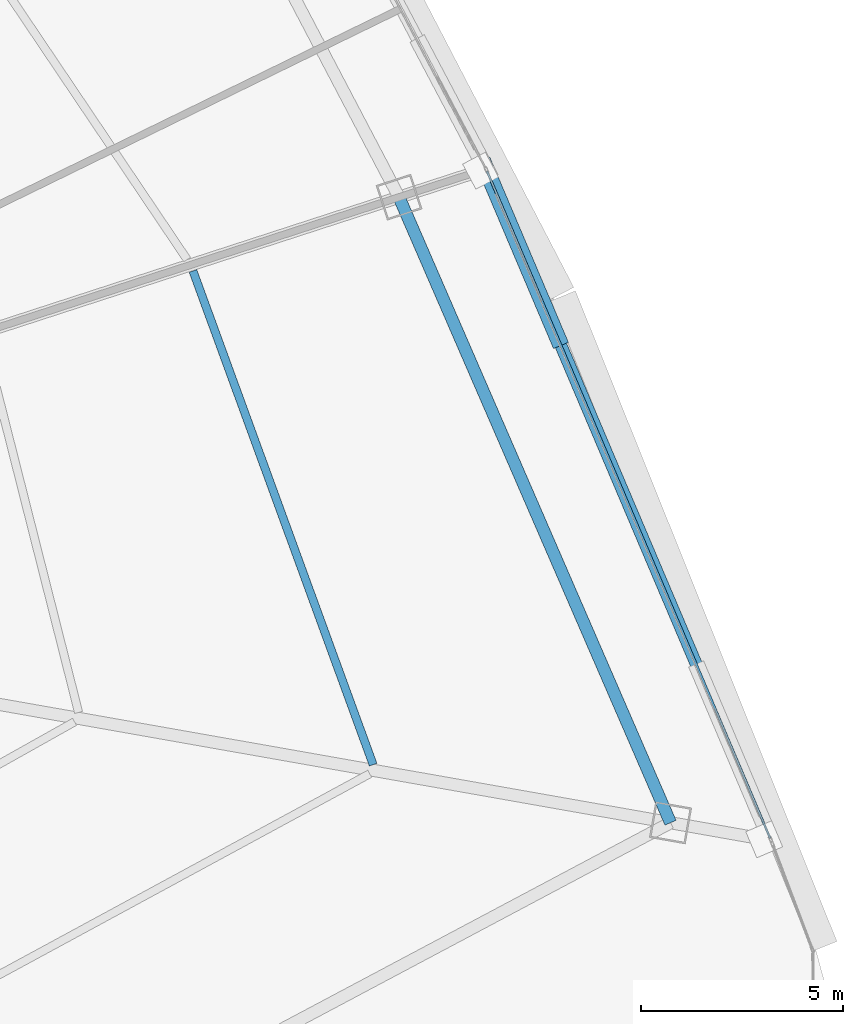
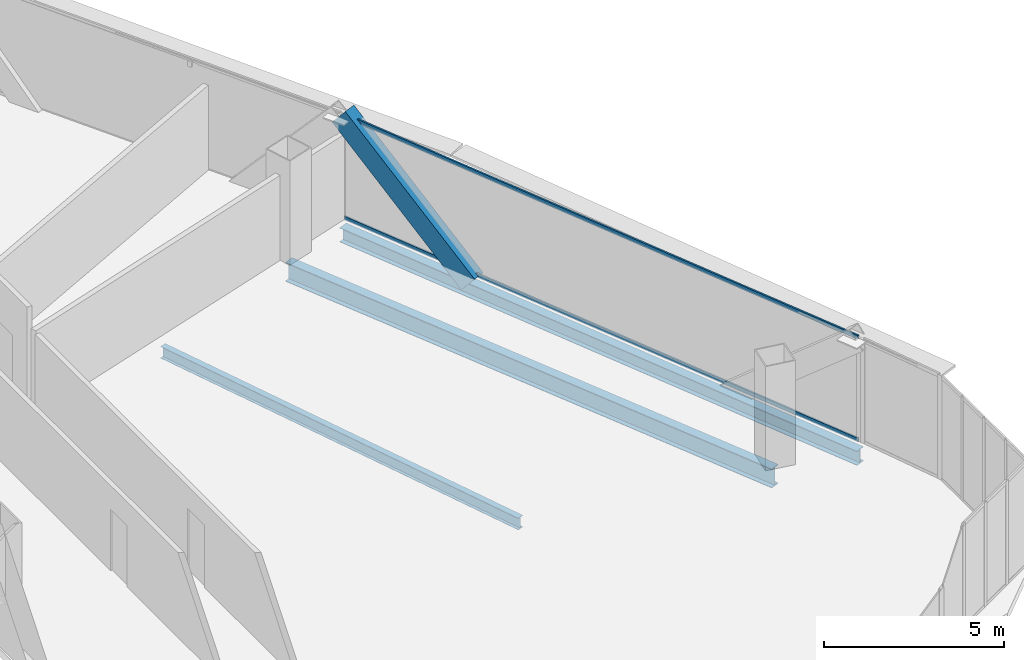
# One storey, part 26 of 40: 3 beams, 3 members, 1 element without a shape of its own.
"""IFC4 building model written with IfcOpenShell, lengths in metres."""

from ifc_helpers import new_model, si_unit, direction, frame, origin, origin_2d, place, context, subcontext, project, spatial, hollow_rectangle, i_section, extrude, source, transform, mapped, material, layer, layer_set, material_profile, profile_set, type_object, element, aggregate, save


model = new_model("IFC4")

# Units and contexts
model_context = context("Model", 3, precision=1e-05, world=origin(), true_north=direction((0.0, 1.0)))
body_context = subcontext(model_context, "Body", "Model", "MODEL_VIEW")
ifc_project = project(units=[si_unit("LENGTHUNIT", "METRE"), si_unit("AREAUNIT", "SQUARE_METRE"), si_unit("VOLUMEUNIT", "CUBIC_METRE"), si_unit("PLANEANGLEUNIT", "RADIAN"), si_unit("MASSUNIT", "GRAM", prefix="KILO"), si_unit("THERMODYNAMICTEMPERATUREUNIT", "KELVIN"), si_unit("POWERUNIT", "WATT")], contexts=[model_context])

# Site, building, storey
site_placement = place(None, origin())
site = spatial("IfcSite", under=ifc_project, at=site_placement, CompositionType="ELEMENT")
building_placement = place(site_placement, origin())
building = spatial("IfcBuilding", under=site, at=building_placement, Name="Yunzhuo Pagoda Commons", CompositionType="ELEMENT")
storey_placement = place(building_placement, frame((0.0, 0.0, 188.56005859375)))
storey = spatial("IfcBuildingStorey", under=building, at=storey_placement, Name="L47", CompositionType="ELEMENT", Elevation=188.56005859375)

# Beams
ifc_material_1 = material(Name="Structural steel Q355B", Category="steel")
ifc_material_profile_1 = material_profile(ifc_material_1, i_section(OverallWidth=0.300048828125, OverallDepth=0.488037109375, WebThickness=0.010986328125, FlangeThickness=0.01806640625, at=origin_2d()), Name="Structural steel Q355B")
ifc_profile_set_1 = profile_set([ifc_material_profile_1], Name="Structural steel Q355B")
beam_type_1 = type_object("IfcBeamType", Name="B-SP1 Beam HM 488x300x11x18", PredefinedType="BEAM", material=ifc_profile_set_1)
shared_shape_1 = source(origin(), body_context, "Body", "SweptSolid", [
    extrude(i_section(OverallWidth=0.300048828125, OverallDepth=0.488037109375, WebThickness=0.010986328125, FlangeThickness=0.01806640625, at=origin_2d()), origin(), (0.0, 0.0, 1.0), 18.037109375),
])
beam_1_placement = place(storey_placement, frame((85.6923828125, 27.0537109375, -0.504150390625), z_axis=(-0.390700353575, 0.920517916021, 0.0), x_axis=(-0.920517916021, -0.390700353575, 0.0)))
element("IfcBeam", 1, at=beam_1_placement, inside=storey, type_object=beam_type_1, Name="L47 facade edge spandrel beam F2.1", PredefinedType="BEAM", context=body_context, shape_type="MappedRepresentation", body=[
    mapped(shared_shape_1, transform((0.0, 0.0, 0.0), scale=1.0)),
])
ifc_material_profile_2 = material_profile(ifc_material_1, i_section(OverallWidth=0.300048828125, OverallDepth=0.64990234375, WebThickness=0.012939453125, FlangeThickness=0.02197265625, at=origin_2d()), Name="Structural steel Q355B")
ifc_profile_set_2 = profile_set([ifc_material_profile_2], Name="Structural steel Q355B")
beam_type_2 = type_object("IfcBeamType", Name="B-RG2 Beam HN 650x300x13x22", PredefinedType="BEAM", material=ifc_profile_set_2)
shared_shape_2 = source(origin(), body_context, "Body", "SweptSolid", [
    extrude(i_section(OverallWidth=0.300048828125, OverallDepth=0.64990234375, WebThickness=0.012939453125, FlangeThickness=0.02197265625, at=origin_2d()), origin(), (0.0, 0.0, 1.0), 16.859619140625),
])
beam_2_placement = place(storey_placement, frame((83.20654296875, 27.492431640625, -0.5849609375), z_axis=(-0.398104384161, 0.917340121935, 0.0), x_axis=(-0.917340121935, -0.398104384161, 0.0)))
element("IfcBeam", 2, at=beam_2_placement, inside=storey, type_object=beam_type_2, Name="L47 column-ring beam 5", PredefinedType="BEAM", context=body_context, shape_type="MappedRepresentation", body=[
    mapped(shared_shape_2, transform((0.0, 0.0, 0.0), scale=1.0)),
])
ifc_material_profile_3 = material_profile(ifc_material_1, i_section(OverallWidth=0.199951171875, OverallDepth=0.39990234375, WebThickness=0.008056640625, FlangeThickness=0.012939453125, at=origin_2d()), Name="Structural steel Q355B")
ifc_profile_set_3 = profile_set([ifc_material_profile_3], Name="Structural steel Q355B")
beam_type_3 = type_object("IfcBeamType", Name="B-JS1 Joist HN 400x200x8x13", PredefinedType="JOIST", material=ifc_profile_set_3)
shared_shape_3 = source(origin(), body_context, "Body", "SweptSolid", [
    extrude(i_section(OverallWidth=0.199951171875, OverallDepth=0.39990234375, WebThickness=0.008056640625, FlangeThickness=0.012939453125, at=origin_2d()), origin(), (0.0, 0.0, 1.0), 12.994873046875),
])
beam_3_placement = place(storey_placement, frame((75.85400390625, 28.928466796875, -0.4599609375), z_axis=(-0.342834977914, 0.939395645039, 0.0), x_axis=(-0.939395645039, -0.342834977914, 0.0)))
element("IfcBeam", 3, at=beam_3_placement, inside=storey, type_object=beam_type_3, Name="L47 composite ring joist 2.5", PredefinedType="JOIST", context=body_context, shape_type="MappedRepresentation", body=[
    mapped(shared_shape_3, transform((0.0, 0.0, 0.0), scale=1.0)),
])

# Member
ifc_material_profile_4 = material_profile(ifc_material_1, hollow_rectangle(XDim=0.39990234375, YDim=0.719970703125, WallThickness=0.02392578125, at=origin_2d()), Name="Structural steel Q355B")
ifc_profile_set_4 = profile_set([ifc_material_profile_4], Name="Structural steel Q355B")
member_type_1 = type_object("IfcMemberType", Name="M-DL2 Brace BOX 720x400x24", PredefinedType="BRACE", material=ifc_profile_set_4)
shared_shape_4 = source(origin(), body_context, "Body", "SweptSolid", [
    extrude(hollow_rectangle(XDim=0.39990234375, YDim=0.719970703125, WallThickness=0.02392578125, at=origin_2d()), origin(), (0.0, 0.0, 1.0), 5.89697265625),
])
member_1_placement = place(storey_placement, frame((80.406982421875, 39.50634765625, -0.260009765625), z_axis=(-0.298751694523, 0.703904699318, 0.644411048399), x_axis=(-0.92052278395, -0.390688884189, 0.0)))
element("IfcMember", 4, at=member_1_placement, inside=storey, type_object=member_type_1, Name="L47 facade diamond brace F2.1R", PredefinedType="BRACE", context=body_context, shape_type="MappedRepresentation", body=[
    mapped(shared_shape_4, transform((0.0, 0.0, 0.0), scale=1.0)),
])

# Curtain wall, members
ifc_material_2 = material(Name="Anodized aluminium 6063-T6", Category="aluminium")
ifc_layer = layer(ifc_material_2, 0.14990234375)
ifc_layer_set = layer_set([ifc_layer], Name="Anodized aluminium 6063-T6")
curtain_wall_type = type_object("IfcCurtainWallType", Name="CW-MID Mid-Zone Ribbon Curtain Wall", PredefinedType="NOTDEFINED", material=ifc_layer_set)
curtain_wall_placement = place(storey_placement, origin())
curtain_wall = element("IfcCurtainWall", 5, at=curtain_wall_placement, inside=storey, type_object=curtain_wall_type, Name="L47 curtain wall CW-L47-F2B2", PredefinedType="NOTDEFINED")
ifc_material_profile_5 = material_profile(ifc_material_2, hollow_rectangle(XDim=0.054931640625, YDim=0.1298828125, WallThickness=0.00341796875, at=origin_2d()), Name="Anodized aluminium 6063-T6")
ifc_profile_set_5 = profile_set([ifc_material_profile_5], Name="Anodized aluminium 6063-T6")
member_type_2 = type_object("IfcMemberType", Name="CW-MID-T Transom RHS 130x55x3.5", PredefinedType="USERDEFINED", material=ifc_profile_set_5)
shared_shape_5 = source(origin(), body_context, "Body", "SweptSolid", [
    extrude(hollow_rectangle(XDim=0.054931640625, YDim=0.1298828125, WallThickness=0.00341796875, at=origin_2d()), origin(), (0.0, 0.0, 1.0), 17.917236328125),
])
member_2_placement = place(storey_placement, frame((85.6689453125, 27.109130859375, 0.02734375), z_axis=(-0.390715008081, 0.920511695993, 0.0), x_axis=(-0.920511695993, -0.390715008081, 0.0)))
member_2 = element("IfcMember", 6, at=member_2_placement, type_object=member_type_2, Name="CW transom 1.1", ObjectType="TRANSOM", PredefinedType="USERDEFINED", context=body_context, shape_type="MappedRepresentation", body=[
    mapped(shared_shape_5, transform((0.0, 0.0, 0.0), scale=1.0)),
])
member_3_placement = place(storey_placement, frame((85.6689453125, 27.109130859375, 3.512451171875), z_axis=(-0.390715008081, 0.920511695993, 0.0), x_axis=(-0.920511695993, -0.390715008081, 0.0)))
member_3 = element("IfcMember", 7, at=member_3_placement, type_object=member_type_2, Name="CW transom 1.2", ObjectType="TRANSOM", PredefinedType="USERDEFINED", context=body_context, shape_type="MappedRepresentation", body=[
    mapped(shared_shape_5, transform((0.0, 0.0, 0.0), scale=1.0)),
])
aggregate(curtain_wall, [member_2, member_3])

save(model, "model.ifc")
